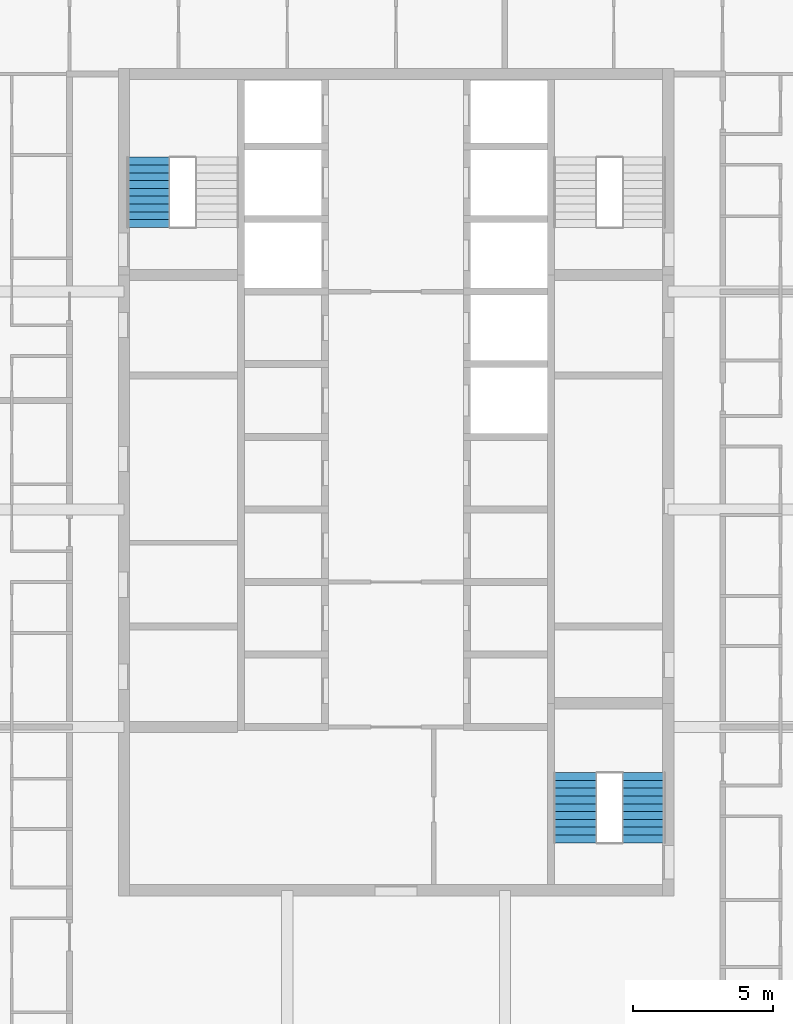
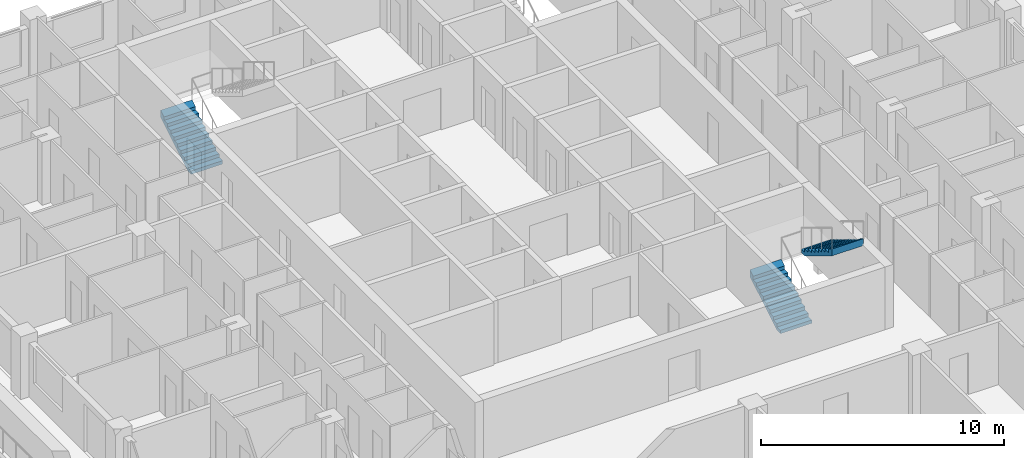
# One storey, part 13 of 16: 3 stair flights, 2 elements without a shape of their own.
"""IFC4 building model written with IfcOpenShell, lengths in metres."""

from ifc_helpers import new_model, si_unit, direction, frame, origin, place, context, subcontext, project, spatial, triangles, material, type_object, element, aggregate, save


model = new_model("IFC4")

# Units and contexts
model_context = context("Model", 3, precision=1e-05, world=origin(), true_north=direction((0.0, 1.0)))
body_context = subcontext(model_context, "Body", "Model", "MODEL_VIEW")
ifc_project = project(units=[si_unit("LENGTHUNIT", "METRE"), si_unit("AREAUNIT", "SQUARE_METRE"), si_unit("VOLUMEUNIT", "CUBIC_METRE"), si_unit("PLANEANGLEUNIT", "RADIAN"), si_unit("MASSUNIT", "GRAM", prefix="KILO")], contexts=[model_context])

# Site, building, storey
site_placement = place(None, origin())
site = spatial("IfcSite", under=ifc_project, at=site_placement, CompositionType="ELEMENT")
building_placement = place(site_placement, origin())
building = spatial("IfcBuilding", under=site, at=building_placement, Name="Ludao Terraces", CompositionType="ELEMENT")
storey_placement = place(building_placement, frame((0.0, 0.0, 224.5)))
storey = spatial("IfcBuildingStorey", under=building, at=storey_placement, Name="L61", CompositionType="ELEMENT", Elevation=224.5)

# Stair, stair flight
ifc_material = material(Name="Concrete C40", Category="concrete")
stair_type = type_object("IfcStairType", Name="INT Stair", PredefinedType="HALF_TURN_STAIR", material=ifc_material)
stair_1_placement = place(storey_placement, origin())
stair_1 = element("IfcStair", 1, at=stair_1_placement, inside=storey, type_object=stair_type, Name="EXIT STAIR 1", PredefinedType="HALF_TURN_STAIR")
stair_flight_type = type_object("IfcStairFlightType", Name="INT Stair flight", PredefinedType="STRAIGHT", material=ifc_material)
stair_flight_1_placement = place(storey_placement, frame((76.125, 79.0, 0.0), z_axis=(0.0, 0.0, 1.0), x_axis=(0.0, 1.0, 0.0)))
stair_flight_1 = element("IfcStairFlight", 2, at=stair_flight_1_placement, type_object=stair_flight_type, Name="ST1 flight 1", NumberOfRisers=10, NumberOfTreads=9, PredefinedType="STRAIGHT", RiserHeight=0.17, TreadLength=0.28, context=body_context, shape_type="Tessellation", body=[
    triangles([(0.0, -0.75, 0.0), (0.0, -0.5, 0.0), (0.0, -0.25, 0.0), (0.0, 0.0, 0.0), (0.0, 0.25, 0.0), (0.0, 0.5, 0.0), (0.0, 0.75, 0.0), (0.0, -0.75, 0.169921875), (0.0, -0.5, 0.169921875), (0.0, -0.25, 0.169921875), (0.0, 0.0, 0.169921875), (0.0, 0.25, 0.169921875), (0.0, 0.5, 0.169921875), (0.0, 0.75, 0.169921875), (0.280029296875, -0.75, 0.169921875), (0.280029296875, -0.5, 0.169921875), (0.280029296875, -0.25, 0.169921875), (0.280029296875, 0.0, 0.169921875), (0.280029296875, 0.25, 0.169921875), (0.280029296875, 0.5, 0.169921875), (0.280029296875, 0.75, 0.169921875), (0.280029296875, -0.75, 0.340087890625), (0.280029296875, -0.5, 0.340087890625), (0.280029296875, -0.25, 0.340087890625), (0.280029296875, 0.0, 0.340087890625), (0.280029296875, 0.25, 0.340087890625), (0.280029296875, 0.5, 0.340087890625), (0.280029296875, 0.75, 0.340087890625), (0.56005859375, -0.75, 0.340087890625), (0.56005859375, -0.5, 0.340087890625), (0.56005859375, -0.25, 0.340087890625), (0.56005859375, 0.0, 0.340087890625), (0.56005859375, 0.25, 0.340087890625), (0.56005859375, 0.5, 0.340087890625), (0.56005859375, 0.75, 0.340087890625), (0.56005859375, -0.75, 0.510009765625), (0.56005859375, -0.5, 0.510009765625), (0.56005859375, -0.25, 0.510009765625), (0.56005859375, 0.0, 0.510009765625), (0.56005859375, 0.25, 0.510009765625), (0.56005859375, 0.5, 0.510009765625), (0.56005859375, 0.75, 0.510009765625), (0.840087890625, -0.75, 0.510009765625), (0.840087890625, -0.5, 0.510009765625), (0.840087890625, -0.25, 0.510009765625), (0.840087890625, 0.0, 0.510009765625), (0.840087890625, 0.25, 0.510009765625), (0.840087890625, 0.5, 0.510009765625), (0.840087890625, 0.75, 0.510009765625), (0.840087890625, -0.75, 0.679931640625), (0.840087890625, -0.5, 0.679931640625), (0.840087890625, -0.25, 0.679931640625), (0.840087890625, 0.0, 0.679931640625), (0.840087890625, 0.25, 0.679931640625), (0.840087890625, 0.5, 0.679931640625), (0.840087890625, 0.75, 0.679931640625), (1.1201171875, -0.75, 0.679931640625), (1.1201171875, -0.5, 0.679931640625), (1.1201171875, -0.25, 0.679931640625), (1.1201171875, 0.0, 0.679931640625), (1.1201171875, 0.25, 0.679931640625), (1.1201171875, 0.5, 0.679931640625), (1.1201171875, 0.75, 0.679931640625), (1.1201171875, -0.75, 0.85009765625), (1.1201171875, -0.5, 0.85009765625), (1.1201171875, -0.25, 0.85009765625), (1.1201171875, 0.0, 0.85009765625), (1.1201171875, 0.25, 0.85009765625), (1.1201171875, 0.5, 0.85009765625), (1.1201171875, 0.75, 0.85009765625), (1.39990234375, -0.75, 0.85009765625), (1.39990234375, -0.5, 0.85009765625), (1.39990234375, -0.25, 0.85009765625), (1.39990234375, 0.0, 0.85009765625), (1.39990234375, 0.25, 0.85009765625), (1.39990234375, 0.5, 0.85009765625), (1.39990234375, 0.75, 0.85009765625), (1.39990234375, -0.75, 1.02001953125), (1.39990234375, -0.5, 1.02001953125), (1.39990234375, -0.25, 1.02001953125), (1.39990234375, 0.0, 1.02001953125), (1.39990234375, 0.25, 1.02001953125), (1.39990234375, 0.5, 1.02001953125), (1.39990234375, 0.75, 1.02001953125), (1.679931640625, -0.75, 1.02001953125), (1.679931640625, -0.5, 1.02001953125), (1.679931640625, -0.25, 1.02001953125), (1.679931640625, 0.0, 1.02001953125), (1.679931640625, 0.25, 1.02001953125), (1.679931640625, 0.5, 1.02001953125), (1.679931640625, 0.75, 1.02001953125), (1.679931640625, -0.75, 1.18994140625), (1.679931640625, -0.5, 1.18994140625), (1.679931640625, -0.25, 1.18994140625), (1.679931640625, 0.0, 1.18994140625), (1.679931640625, 0.25, 1.18994140625), (1.679931640625, 0.5, 1.18994140625), (1.679931640625, 0.75, 1.18994140625), (1.9599609375, -0.75, 1.18994140625), (1.9599609375, -0.5, 1.18994140625), (1.9599609375, -0.25, 1.18994140625), (1.9599609375, 0.0, 1.18994140625), (1.9599609375, 0.25, 1.18994140625), (1.9599609375, 0.5, 1.18994140625), (1.9599609375, 0.75, 1.18994140625), (1.9599609375, -0.75, 1.360107421875), (1.9599609375, -0.5, 1.360107421875), (1.9599609375, -0.25, 1.360107421875), (1.9599609375, 0.0, 1.360107421875), (1.9599609375, 0.25, 1.360107421875), (1.9599609375, 0.5, 1.360107421875), (1.9599609375, 0.75, 1.360107421875), (2.239990234375, -0.75, 1.360107421875), (2.239990234375, -0.5, 1.360107421875), (2.239990234375, -0.25, 1.360107421875), (2.239990234375, 0.0, 1.360107421875), (2.239990234375, 0.25, 1.360107421875), (2.239990234375, 0.5, 1.360107421875), (2.239990234375, 0.75, 1.360107421875), (2.239990234375, -0.75, 1.530029296875), (2.239990234375, -0.5, 1.530029296875), (2.239990234375, -0.25, 1.530029296875), (2.239990234375, 0.0, 1.530029296875), (2.239990234375, 0.25, 1.530029296875), (2.239990234375, 0.5, 1.530029296875), (2.239990234375, 0.75, 1.530029296875), (2.52001953125, -0.75, 1.699951171875), (2.52001953125, -0.5, 1.699951171875), (2.52001953125, -0.25, 1.699951171875), (2.52001953125, 0.0, 1.699951171875), (2.52001953125, 0.25, 1.699951171875), (2.52001953125, 0.5, 1.699951171875), (2.52001953125, 0.75, 1.699951171875), (2.52001953125, -0.75, 1.354736328125), (2.52001953125, -0.5, 1.354736328125), (2.52001953125, -0.25, 1.354736328125), (2.52001953125, 0.0, 1.354736328125), (2.52001953125, 0.25, 1.354736328125), (2.52001953125, 0.5, 1.354736328125), (2.52001953125, 0.75, 1.354736328125), (0.288818359375, -0.75, 0.0), (0.288818359375, -0.5, 0.0), (0.288818359375, -0.25, 0.0), (0.288818359375, 0.0, 0.0), (0.288818359375, 0.25, 0.0), (0.288818359375, 0.5, 0.0), (0.288818359375, 0.75, 0.0)], [[1, 141, 134], [7, 140, 147], [134, 127, 120], [140, 126, 133], [134, 120, 113], [140, 119, 126], [134, 113, 106], [140, 112, 119], [134, 106, 99], [140, 105, 112], [99, 92, 85], [105, 91, 98], [134, 99, 85], [140, 91, 105], [85, 78, 71], [91, 77, 84], [134, 85, 71], [140, 77, 91], [71, 64, 57], [77, 63, 70], [134, 71, 57], [140, 63, 77], [57, 50, 43], [63, 49, 56], [134, 57, 43], [140, 49, 63], [43, 36, 29], [49, 35, 42], [134, 43, 29], [140, 35, 49], [29, 22, 15], [35, 21, 28], [134, 29, 15], [140, 21, 35], [1, 134, 15], [7, 21, 140], [15, 8, 1], [21, 7, 14], [1, 9, 2], [1, 8, 9], [2, 10, 3], [2, 9, 10], [3, 11, 4], [3, 10, 11], [4, 12, 5], [4, 11, 12], [5, 13, 6], [5, 12, 13], [6, 14, 7], [6, 13, 14], [8, 16, 9], [8, 15, 16], [9, 17, 10], [9, 16, 17], [10, 18, 11], [10, 17, 18], [11, 19, 12], [11, 18, 19], [12, 20, 13], [12, 19, 20], [13, 21, 14], [13, 20, 21], [15, 23, 16], [15, 22, 23], [16, 24, 17], [16, 23, 24], [17, 25, 18], [17, 24, 25], [18, 26, 19], [18, 25, 26], [19, 27, 20], [19, 26, 27], [20, 28, 21], [20, 27, 28], [22, 30, 23], [22, 29, 30], [23, 31, 24], [23, 30, 31], [24, 32, 25], [24, 31, 32], [25, 33, 26], [25, 32, 33], [26, 34, 27], [26, 33, 34], [27, 35, 28], [27, 34, 35], [29, 37, 30], [29, 36, 37], [30, 38, 31], [30, 37, 38], [31, 39, 32], [31, 38, 39], [32, 40, 33], [32, 39, 40], [33, 41, 34], [33, 40, 41], [34, 42, 35], [34, 41, 42], [36, 44, 37], [36, 43, 44], [37, 45, 38], [37, 44, 45], [38, 46, 39], [38, 45, 46], [39, 47, 40], [39, 46, 47], [40, 48, 41], [40, 47, 48], [41, 49, 42], [41, 48, 49], [43, 51, 44], [43, 50, 51], [44, 52, 45], [44, 51, 52], [45, 53, 46], [45, 52, 53], [46, 54, 47], [46, 53, 54], [47, 55, 48], [47, 54, 55], [48, 56, 49], [48, 55, 56], [50, 58, 51], [50, 57, 58], [51, 59, 52], [51, 58, 59], [52, 60, 53], [52, 59, 60], [53, 61, 54], [53, 60, 61], [54, 62, 55], [54, 61, 62], [55, 63, 56], [55, 62, 63], [57, 65, 58], [57, 64, 65], [58, 66, 59], [58, 65, 66], [59, 67, 60], [59, 66, 67], [60, 68, 61], [60, 67, 68], [61, 69, 62], [61, 68, 69], [62, 70, 63], [62, 69, 70], [64, 72, 65], [64, 71, 72], [65, 73, 66], [65, 72, 73], [66, 74, 67], [66, 73, 74], [67, 75, 68], [67, 74, 75], [68, 76, 69], [68, 75, 76], [69, 77, 70], [69, 76, 77], [71, 79, 72], [71, 78, 79], [72, 80, 73], [72, 79, 80], [73, 81, 74], [73, 80, 81], [74, 82, 75], [74, 81, 82], [75, 83, 76], [75, 82, 83], [76, 84, 77], [76, 83, 84], [78, 86, 79], [78, 85, 86], [79, 87, 80], [79, 86, 87], [80, 88, 81], [80, 87, 88], [81, 89, 82], [81, 88, 89], [82, 90, 83], [82, 89, 90], [83, 91, 84], [83, 90, 91], [85, 93, 86], [85, 92, 93], [86, 94, 87], [86, 93, 94], [87, 95, 88], [87, 94, 95], [88, 96, 89], [88, 95, 96], [89, 97, 90], [89, 96, 97], [90, 98, 91], [90, 97, 98], [92, 100, 93], [92, 99, 100], [93, 101, 94], [93, 100, 101], [94, 102, 95], [94, 101, 102], [95, 103, 96], [95, 102, 103], [96, 104, 97], [96, 103, 104], [97, 105, 98], [97, 104, 105], [99, 107, 100], [99, 106, 107], [100, 108, 101], [100, 107, 108], [101, 109, 102], [101, 108, 109], [102, 110, 103], [102, 109, 110], [103, 111, 104], [103, 110, 111], [104, 112, 105], [104, 111, 112], [106, 114, 107], [106, 113, 114], [107, 115, 108], [107, 114, 115], [108, 116, 109], [108, 115, 116], [109, 117, 110], [109, 116, 117], [110, 118, 111], [110, 117, 118], [111, 119, 112], [111, 118, 119], [113, 121, 114], [113, 120, 121], [114, 122, 115], [114, 121, 122], [115, 123, 116], [115, 122, 123], [116, 124, 117], [116, 123, 124], [117, 125, 118], [117, 124, 125], [118, 126, 119], [118, 125, 126], [120, 128, 121], [120, 127, 128], [121, 129, 122], [121, 128, 129], [122, 130, 123], [122, 129, 130], [123, 131, 124], [123, 130, 131], [124, 132, 125], [124, 131, 132], [125, 133, 126], [125, 132, 133], [127, 135, 128], [127, 134, 135], [128, 136, 129], [128, 135, 136], [129, 137, 130], [129, 136, 137], [130, 138, 131], [130, 137, 138], [131, 139, 132], [131, 138, 139], [132, 140, 133], [132, 139, 140], [134, 142, 135], [134, 141, 142], [135, 143, 136], [135, 142, 143], [136, 144, 137], [136, 143, 144], [137, 145, 138], [137, 144, 145], [138, 146, 139], [138, 145, 146], [139, 147, 140], [139, 146, 147], [141, 2, 142], [141, 1, 2], [142, 3, 143], [142, 2, 3], [143, 4, 144], [143, 3, 4], [144, 5, 145], [144, 4, 5], [145, 6, 146], [145, 5, 6], [146, 7, 147], [146, 6, 7]], closed=True),
])
aggregate(stair_1, [stair_flight_1])

# Stair, stair flights
stair_2_placement = place(storey_placement, origin())
stair_2 = element("IfcStair", 3, at=stair_2_placement, inside=storey, type_object=stair_type, Name="EXIT STAIR 3", PredefinedType="HALF_TURN_STAIR")
stair_flight_2_placement = place(storey_placement, frame((91.425048828125, 56.949951171875, 0.0), z_axis=(0.0, 0.0, 1.0), x_axis=(0.0, 1.0, 0.0)))
stair_flight_2 = element("IfcStairFlight", 4, at=stair_flight_2_placement, type_object=stair_flight_type, Name="ST3 flight 1", NumberOfRisers=10, NumberOfTreads=9, PredefinedType="STRAIGHT", RiserHeight=0.17, TreadLength=0.28, context=body_context, shape_type="Tessellation", body=[
    triangles([(0.0, -0.75, 0.0), (0.0, -0.5, 0.0), (0.0, -0.25, 0.0), (0.0, 0.0, 0.0), (0.0, 0.25, 0.0), (0.0, 0.5, 0.0), (0.0, 0.75, 0.0), (0.0, -0.75, 0.169921875), (0.0, -0.5, 0.169921875), (0.0, -0.25, 0.169921875), (0.0, 0.0, 0.169921875), (0.0, 0.25, 0.169921875), (0.0, 0.5, 0.169921875), (0.0, 0.75, 0.169921875), (0.280029296875, -0.75, 0.169921875), (0.280029296875, -0.5, 0.169921875), (0.280029296875, -0.25, 0.169921875), (0.280029296875, 0.0, 0.169921875), (0.280029296875, 0.25, 0.169921875), (0.280029296875, 0.5, 0.169921875), (0.280029296875, 0.75, 0.169921875), (0.280029296875, -0.75, 0.340087890625), (0.280029296875, -0.5, 0.340087890625), (0.280029296875, -0.25, 0.340087890625), (0.280029296875, 0.0, 0.340087890625), (0.280029296875, 0.25, 0.340087890625), (0.280029296875, 0.5, 0.340087890625), (0.280029296875, 0.75, 0.340087890625), (0.56005859375, -0.75, 0.340087890625), (0.56005859375, -0.5, 0.340087890625), (0.56005859375, -0.25, 0.340087890625), (0.56005859375, 0.0, 0.340087890625), (0.56005859375, 0.25, 0.340087890625), (0.56005859375, 0.5, 0.340087890625), (0.56005859375, 0.75, 0.340087890625), (0.56005859375, -0.75, 0.510009765625), (0.56005859375, -0.5, 0.510009765625), (0.56005859375, -0.25, 0.510009765625), (0.56005859375, 0.0, 0.510009765625), (0.56005859375, 0.25, 0.510009765625), (0.56005859375, 0.5, 0.510009765625), (0.56005859375, 0.75, 0.510009765625), (0.840087890625, -0.75, 0.510009765625), (0.840087890625, -0.5, 0.510009765625), (0.840087890625, -0.25, 0.510009765625), (0.840087890625, 0.0, 0.510009765625), (0.840087890625, 0.25, 0.510009765625), (0.840087890625, 0.5, 0.510009765625), (0.840087890625, 0.75, 0.510009765625), (0.840087890625, -0.75, 0.679931640625), (0.840087890625, -0.5, 0.679931640625), (0.840087890625, -0.25, 0.679931640625), (0.840087890625, 0.0, 0.679931640625), (0.840087890625, 0.25, 0.679931640625), (0.840087890625, 0.5, 0.679931640625), (0.840087890625, 0.75, 0.679931640625), (1.1201171875, -0.75, 0.679931640625), (1.1201171875, -0.5, 0.679931640625), (1.1201171875, -0.25, 0.679931640625), (1.1201171875, 0.0, 0.679931640625), (1.1201171875, 0.25, 0.679931640625), (1.1201171875, 0.5, 0.679931640625), (1.1201171875, 0.75, 0.679931640625), (1.1201171875, -0.75, 0.85009765625), (1.1201171875, -0.5, 0.85009765625), (1.1201171875, -0.25, 0.85009765625), (1.1201171875, 0.0, 0.85009765625), (1.1201171875, 0.25, 0.85009765625), (1.1201171875, 0.5, 0.85009765625), (1.1201171875, 0.75, 0.85009765625), (1.39990234375, -0.75, 0.85009765625), (1.39990234375, -0.5, 0.85009765625), (1.39990234375, -0.25, 0.85009765625), (1.39990234375, 0.0, 0.85009765625), (1.39990234375, 0.25, 0.85009765625), (1.39990234375, 0.5, 0.85009765625), (1.39990234375, 0.75, 0.85009765625), (1.39990234375, -0.75, 1.02001953125), (1.39990234375, -0.5, 1.02001953125), (1.39990234375, -0.25, 1.02001953125), (1.39990234375, 0.0, 1.02001953125), (1.39990234375, 0.25, 1.02001953125), (1.39990234375, 0.5, 1.02001953125), (1.39990234375, 0.75, 1.02001953125), (1.679931640625, -0.75, 1.02001953125), (1.679931640625, -0.5, 1.02001953125), (1.679931640625, -0.25, 1.02001953125), (1.679931640625, 0.0, 1.02001953125), (1.679931640625, 0.25, 1.02001953125), (1.679931640625, 0.5, 1.02001953125), (1.679931640625, 0.75, 1.02001953125), (1.679931640625, -0.75, 1.18994140625), (1.679931640625, -0.5, 1.18994140625), (1.679931640625, -0.25, 1.18994140625), (1.679931640625, 0.0, 1.18994140625), (1.679931640625, 0.25, 1.18994140625), (1.679931640625, 0.5, 1.18994140625), (1.679931640625, 0.75, 1.18994140625), (1.9599609375, -0.75, 1.18994140625), (1.9599609375, -0.5, 1.18994140625), (1.9599609375, -0.25, 1.18994140625), (1.9599609375, 0.0, 1.18994140625), (1.9599609375, 0.25, 1.18994140625), (1.9599609375, 0.5, 1.18994140625), (1.9599609375, 0.75, 1.18994140625), (1.9599609375, -0.75, 1.360107421875), (1.9599609375, -0.5, 1.360107421875), (1.9599609375, -0.25, 1.360107421875), (1.9599609375, 0.0, 1.360107421875), (1.9599609375, 0.25, 1.360107421875), (1.9599609375, 0.5, 1.360107421875), (1.9599609375, 0.75, 1.360107421875), (2.239990234375, -0.75, 1.360107421875), (2.239990234375, -0.5, 1.360107421875), (2.239990234375, -0.25, 1.360107421875), (2.239990234375, 0.0, 1.360107421875), (2.239990234375, 0.25, 1.360107421875), (2.239990234375, 0.5, 1.360107421875), (2.239990234375, 0.75, 1.360107421875), (2.239990234375, -0.75, 1.530029296875), (2.239990234375, -0.5, 1.530029296875), (2.239990234375, -0.25, 1.530029296875), (2.239990234375, 0.0, 1.530029296875), (2.239990234375, 0.25, 1.530029296875), (2.239990234375, 0.5, 1.530029296875), (2.239990234375, 0.75, 1.530029296875), (2.52001953125, -0.75, 1.699951171875), (2.52001953125, -0.5, 1.699951171875), (2.52001953125, -0.25, 1.699951171875), (2.52001953125, 0.0, 1.699951171875), (2.52001953125, 0.25, 1.699951171875), (2.52001953125, 0.5, 1.699951171875), (2.52001953125, 0.75, 1.699951171875), (2.52001953125, -0.75, 1.354736328125), (2.52001953125, -0.5, 1.354736328125), (2.52001953125, -0.25, 1.354736328125), (2.52001953125, 0.0, 1.354736328125), (2.52001953125, 0.25, 1.354736328125), (2.52001953125, 0.5, 1.354736328125), (2.52001953125, 0.75, 1.354736328125), (0.288818359375, -0.75, 0.0), (0.288818359375, -0.5, 0.0), (0.288818359375, -0.25, 0.0), (0.288818359375, 0.0, 0.0), (0.288818359375, 0.25, 0.0), (0.288818359375, 0.5, 0.0), (0.288818359375, 0.75, 0.0)], [[1, 141, 134], [7, 140, 147], [134, 127, 120], [140, 126, 133], [134, 120, 113], [140, 119, 126], [134, 113, 106], [140, 112, 119], [134, 106, 99], [140, 105, 112], [99, 92, 85], [105, 91, 98], [134, 99, 85], [140, 91, 105], [85, 78, 71], [91, 77, 84], [134, 85, 71], [140, 77, 91], [71, 64, 57], [77, 63, 70], [134, 71, 57], [140, 63, 77], [57, 50, 43], [63, 49, 56], [134, 57, 43], [140, 49, 63], [43, 36, 29], [49, 35, 42], [134, 43, 29], [140, 35, 49], [29, 22, 15], [35, 21, 28], [134, 29, 15], [140, 21, 35], [1, 134, 15], [7, 21, 140], [15, 8, 1], [21, 7, 14], [1, 9, 2], [1, 8, 9], [2, 10, 3], [2, 9, 10], [3, 11, 4], [3, 10, 11], [4, 12, 5], [4, 11, 12], [5, 13, 6], [5, 12, 13], [6, 14, 7], [6, 13, 14], [8, 16, 9], [8, 15, 16], [9, 17, 10], [9, 16, 17], [10, 18, 11], [10, 17, 18], [11, 19, 12], [11, 18, 19], [12, 20, 13], [12, 19, 20], [13, 21, 14], [13, 20, 21], [15, 23, 16], [15, 22, 23], [16, 24, 17], [16, 23, 24], [17, 25, 18], [17, 24, 25], [18, 26, 19], [18, 25, 26], [19, 27, 20], [19, 26, 27], [20, 28, 21], [20, 27, 28], [22, 30, 23], [22, 29, 30], [23, 31, 24], [23, 30, 31], [24, 32, 25], [24, 31, 32], [25, 33, 26], [25, 32, 33], [26, 34, 27], [26, 33, 34], [27, 35, 28], [27, 34, 35], [29, 37, 30], [29, 36, 37], [30, 38, 31], [30, 37, 38], [31, 39, 32], [31, 38, 39], [32, 40, 33], [32, 39, 40], [33, 41, 34], [33, 40, 41], [34, 42, 35], [34, 41, 42], [36, 44, 37], [36, 43, 44], [37, 45, 38], [37, 44, 45], [38, 46, 39], [38, 45, 46], [39, 47, 40], [39, 46, 47], [40, 48, 41], [40, 47, 48], [41, 49, 42], [41, 48, 49], [43, 51, 44], [43, 50, 51], [44, 52, 45], [44, 51, 52], [45, 53, 46], [45, 52, 53], [46, 54, 47], [46, 53, 54], [47, 55, 48], [47, 54, 55], [48, 56, 49], [48, 55, 56], [50, 58, 51], [50, 57, 58], [51, 59, 52], [51, 58, 59], [52, 60, 53], [52, 59, 60], [53, 61, 54], [53, 60, 61], [54, 62, 55], [54, 61, 62], [55, 63, 56], [55, 62, 63], [57, 65, 58], [57, 64, 65], [58, 66, 59], [58, 65, 66], [59, 67, 60], [59, 66, 67], [60, 68, 61], [60, 67, 68], [61, 69, 62], [61, 68, 69], [62, 70, 63], [62, 69, 70], [64, 72, 65], [64, 71, 72], [65, 73, 66], [65, 72, 73], [66, 74, 67], [66, 73, 74], [67, 75, 68], [67, 74, 75], [68, 76, 69], [68, 75, 76], [69, 77, 70], [69, 76, 77], [71, 79, 72], [71, 78, 79], [72, 80, 73], [72, 79, 80], [73, 81, 74], [73, 80, 81], [74, 82, 75], [74, 81, 82], [75, 83, 76], [75, 82, 83], [76, 84, 77], [76, 83, 84], [78, 86, 79], [78, 85, 86], [79, 87, 80], [79, 86, 87], [80, 88, 81], [80, 87, 88], [81, 89, 82], [81, 88, 89], [82, 90, 83], [82, 89, 90], [83, 91, 84], [83, 90, 91], [85, 93, 86], [85, 92, 93], [86, 94, 87], [86, 93, 94], [87, 95, 88], [87, 94, 95], [88, 96, 89], [88, 95, 96], [89, 97, 90], [89, 96, 97], [90, 98, 91], [90, 97, 98], [92, 100, 93], [92, 99, 100], [93, 101, 94], [93, 100, 101], [94, 102, 95], [94, 101, 102], [95, 103, 96], [95, 102, 103], [96, 104, 97], [96, 103, 104], [97, 105, 98], [97, 104, 105], [99, 107, 100], [99, 106, 107], [100, 108, 101], [100, 107, 108], [101, 109, 102], [101, 108, 109], [102, 110, 103], [102, 109, 110], [103, 111, 104], [103, 110, 111], [104, 112, 105], [104, 111, 112], [106, 114, 107], [106, 113, 114], [107, 115, 108], [107, 114, 115], [108, 116, 109], [108, 115, 116], [109, 117, 110], [109, 116, 117], [110, 118, 111], [110, 117, 118], [111, 119, 112], [111, 118, 119], [113, 121, 114], [113, 120, 121], [114, 122, 115], [114, 121, 122], [115, 123, 116], [115, 122, 123], [116, 124, 117], [116, 123, 124], [117, 125, 118], [117, 124, 125], [118, 126, 119], [118, 125, 126], [120, 128, 121], [120, 127, 128], [121, 129, 122], [121, 128, 129], [122, 130, 123], [122, 129, 130], [123, 131, 124], [123, 130, 131], [124, 132, 125], [124, 131, 132], [125, 133, 126], [125, 132, 133], [127, 135, 128], [127, 134, 135], [128, 136, 129], [128, 135, 136], [129, 137, 130], [129, 136, 137], [130, 138, 131], [130, 137, 138], [131, 139, 132], [131, 138, 139], [132, 140, 133], [132, 139, 140], [134, 142, 135], [134, 141, 142], [135, 143, 136], [135, 142, 143], [136, 144, 137], [136, 143, 144], [137, 145, 138], [137, 144, 145], [138, 146, 139], [138, 145, 146], [139, 147, 140], [139, 146, 147], [141, 2, 142], [141, 1, 2], [142, 3, 143], [142, 2, 3], [143, 4, 144], [143, 3, 4], [144, 5, 145], [144, 4, 5], [145, 6, 146], [145, 5, 6], [146, 7, 147], [146, 6, 7]], closed=True),
])
stair_flight_3_placement = place(storey_placement, frame((93.875, 59.469970703125, 1.699951171875), z_axis=(0.0, 0.0, 1.0), x_axis=(0.0, -1.0, 0.0)))
stair_flight_3 = element("IfcStairFlight", 5, at=stair_flight_3_placement, type_object=stair_flight_type, Name="ST3 flight 2", NumberOfRisers=10, NumberOfTreads=9, PredefinedType="STRAIGHT", RiserHeight=0.17, TreadLength=0.28, context=body_context, shape_type="Tessellation", body=[
    triangles([(0.0, -0.75, 0.0), (0.0, -0.5, 0.0), (0.0, -0.25, 0.0), (0.0, 0.0, 0.0), (0.0, 0.25, 0.0), (0.0, 0.5, 0.0), (0.0, 0.75, 0.0), (0.0, -0.75, 0.169921875), (0.0, -0.5, 0.169921875), (0.0, -0.25, 0.169921875), (0.0, 0.0, 0.169921875), (0.0, 0.25, 0.169921875), (0.0, 0.5, 0.169921875), (0.0, 0.75, 0.169921875), (0.280029296875, -0.75, 0.169921875), (0.280029296875, -0.5, 0.169921875), (0.280029296875, -0.25, 0.169921875), (0.280029296875, 0.0, 0.169921875), (0.280029296875, 0.25, 0.169921875), (0.280029296875, 0.5, 0.169921875), (0.280029296875, 0.75, 0.169921875), (0.280029296875, -0.75, 0.340087890625), (0.280029296875, -0.5, 0.340087890625), (0.280029296875, -0.25, 0.340087890625), (0.280029296875, 0.0, 0.340087890625), (0.280029296875, 0.25, 0.340087890625), (0.280029296875, 0.5, 0.340087890625), (0.280029296875, 0.75, 0.340087890625), (0.56005859375, -0.75, 0.340087890625), (0.56005859375, -0.5, 0.340087890625), (0.56005859375, -0.25, 0.340087890625), (0.56005859375, 0.0, 0.340087890625), (0.56005859375, 0.25, 0.340087890625), (0.56005859375, 0.5, 0.340087890625), (0.56005859375, 0.75, 0.340087890625), (0.56005859375, -0.75, 0.510009765625), (0.56005859375, -0.5, 0.510009765625), (0.56005859375, -0.25, 0.510009765625), (0.56005859375, 0.0, 0.510009765625), (0.56005859375, 0.25, 0.510009765625), (0.56005859375, 0.5, 0.510009765625), (0.56005859375, 0.75, 0.510009765625), (0.840087890625, -0.75, 0.510009765625), (0.840087890625, -0.5, 0.510009765625), (0.840087890625, -0.25, 0.510009765625), (0.840087890625, 0.0, 0.510009765625), (0.840087890625, 0.25, 0.510009765625), (0.840087890625, 0.5, 0.510009765625), (0.840087890625, 0.75, 0.510009765625), (0.840087890625, -0.75, 0.679931640625), (0.840087890625, -0.5, 0.679931640625), (0.840087890625, -0.25, 0.679931640625), (0.840087890625, 0.0, 0.679931640625), (0.840087890625, 0.25, 0.679931640625), (0.840087890625, 0.5, 0.679931640625), (0.840087890625, 0.75, 0.679931640625), (1.1201171875, -0.75, 0.679931640625), (1.1201171875, -0.5, 0.679931640625), (1.1201171875, -0.25, 0.679931640625), (1.1201171875, 0.0, 0.679931640625), (1.1201171875, 0.25, 0.679931640625), (1.1201171875, 0.5, 0.679931640625), (1.1201171875, 0.75, 0.679931640625), (1.1201171875, -0.75, 0.85009765625), (1.1201171875, -0.5, 0.85009765625), (1.1201171875, -0.25, 0.85009765625), (1.1201171875, 0.0, 0.85009765625), (1.1201171875, 0.25, 0.85009765625), (1.1201171875, 0.5, 0.85009765625), (1.1201171875, 0.75, 0.85009765625), (1.39990234375, -0.75, 0.85009765625), (1.39990234375, -0.5, 0.85009765625), (1.39990234375, -0.25, 0.85009765625), (1.39990234375, 0.0, 0.85009765625), (1.39990234375, 0.25, 0.85009765625), (1.39990234375, 0.5, 0.85009765625), (1.39990234375, 0.75, 0.85009765625), (1.39990234375, -0.75, 1.02001953125), (1.39990234375, -0.5, 1.02001953125), (1.39990234375, -0.25, 1.02001953125), (1.39990234375, 0.0, 1.02001953125), (1.39990234375, 0.25, 1.02001953125), (1.39990234375, 0.5, 1.02001953125), (1.39990234375, 0.75, 1.02001953125), (1.679931640625, -0.75, 1.02001953125), (1.679931640625, -0.5, 1.02001953125), (1.679931640625, -0.25, 1.02001953125), (1.679931640625, 0.0, 1.02001953125), (1.679931640625, 0.25, 1.02001953125), (1.679931640625, 0.5, 1.02001953125), (1.679931640625, 0.75, 1.02001953125), (1.679931640625, -0.75, 1.18994140625), (1.679931640625, -0.5, 1.18994140625), (1.679931640625, -0.25, 1.18994140625), (1.679931640625, 0.0, 1.18994140625), (1.679931640625, 0.25, 1.18994140625), (1.679931640625, 0.5, 1.18994140625), (1.679931640625, 0.75, 1.18994140625), (1.9599609375, -0.75, 1.18994140625), (1.9599609375, -0.5, 1.18994140625), (1.9599609375, -0.25, 1.18994140625), (1.9599609375, 0.0, 1.18994140625), (1.9599609375, 0.25, 1.18994140625), (1.9599609375, 0.5, 1.18994140625), (1.9599609375, 0.75, 1.18994140625), (1.9599609375, -0.75, 1.360107421875), (1.9599609375, -0.5, 1.360107421875), (1.9599609375, -0.25, 1.360107421875), (1.9599609375, 0.0, 1.360107421875), (1.9599609375, 0.25, 1.360107421875), (1.9599609375, 0.5, 1.360107421875), (1.9599609375, 0.75, 1.360107421875), (2.239990234375, -0.75, 1.360107421875), (2.239990234375, -0.5, 1.360107421875), (2.239990234375, -0.25, 1.360107421875), (2.239990234375, 0.0, 1.360107421875), (2.239990234375, 0.25, 1.360107421875), (2.239990234375, 0.5, 1.360107421875), (2.239990234375, 0.75, 1.360107421875), (2.239990234375, -0.75, 1.530029296875), (2.239990234375, -0.5, 1.530029296875), (2.239990234375, -0.25, 1.530029296875), (2.239990234375, 0.0, 1.530029296875), (2.239990234375, 0.25, 1.530029296875), (2.239990234375, 0.5, 1.530029296875), (2.239990234375, 0.75, 1.530029296875), (2.52001953125, -0.75, 1.699951171875), (2.52001953125, -0.5, 1.699951171875), (2.52001953125, -0.25, 1.699951171875), (2.52001953125, 0.0, 1.699951171875), (2.52001953125, 0.25, 1.699951171875), (2.52001953125, 0.5, 1.699951171875), (2.52001953125, 0.75, 1.699951171875), (2.52001953125, -0.75, 1.354736328125), (2.52001953125, -0.5, 1.354736328125), (2.52001953125, -0.25, 1.354736328125), (2.52001953125, 0.0, 1.354736328125), (2.52001953125, 0.25, 1.354736328125), (2.52001953125, 0.5, 1.354736328125), (2.52001953125, 0.75, 1.354736328125), (0.288818359375, -0.75, 0.0), (0.288818359375, -0.5, 0.0), (0.288818359375, -0.25, 0.0), (0.288818359375, 0.0, 0.0), (0.288818359375, 0.25, 0.0), (0.288818359375, 0.5, 0.0), (0.288818359375, 0.75, 0.0)], [[1, 141, 134], [7, 140, 147], [134, 127, 120], [140, 126, 133], [134, 120, 113], [140, 119, 126], [134, 113, 106], [140, 112, 119], [134, 106, 99], [140, 105, 112], [99, 92, 85], [105, 91, 98], [134, 99, 85], [140, 91, 105], [85, 78, 71], [91, 77, 84], [134, 85, 71], [140, 77, 91], [71, 64, 57], [77, 63, 70], [134, 71, 57], [140, 63, 77], [57, 50, 43], [63, 49, 56], [134, 57, 43], [140, 49, 63], [43, 36, 29], [49, 35, 42], [134, 43, 29], [140, 35, 49], [29, 22, 15], [35, 21, 28], [134, 29, 15], [140, 21, 35], [1, 134, 15], [7, 21, 140], [15, 8, 1], [21, 7, 14], [1, 9, 2], [1, 8, 9], [2, 10, 3], [2, 9, 10], [3, 11, 4], [3, 10, 11], [4, 12, 5], [4, 11, 12], [5, 13, 6], [5, 12, 13], [6, 14, 7], [6, 13, 14], [8, 16, 9], [8, 15, 16], [9, 17, 10], [9, 16, 17], [10, 18, 11], [10, 17, 18], [11, 19, 12], [11, 18, 19], [12, 20, 13], [12, 19, 20], [13, 21, 14], [13, 20, 21], [15, 23, 16], [15, 22, 23], [16, 24, 17], [16, 23, 24], [17, 25, 18], [17, 24, 25], [18, 26, 19], [18, 25, 26], [19, 27, 20], [19, 26, 27], [20, 28, 21], [20, 27, 28], [22, 30, 23], [22, 29, 30], [23, 31, 24], [23, 30, 31], [24, 32, 25], [24, 31, 32], [25, 33, 26], [25, 32, 33], [26, 34, 27], [26, 33, 34], [27, 35, 28], [27, 34, 35], [29, 37, 30], [29, 36, 37], [30, 38, 31], [30, 37, 38], [31, 39, 32], [31, 38, 39], [32, 40, 33], [32, 39, 40], [33, 41, 34], [33, 40, 41], [34, 42, 35], [34, 41, 42], [36, 44, 37], [36, 43, 44], [37, 45, 38], [37, 44, 45], [38, 46, 39], [38, 45, 46], [39, 47, 40], [39, 46, 47], [40, 48, 41], [40, 47, 48], [41, 49, 42], [41, 48, 49], [43, 51, 44], [43, 50, 51], [44, 52, 45], [44, 51, 52], [45, 53, 46], [45, 52, 53], [46, 54, 47], [46, 53, 54], [47, 55, 48], [47, 54, 55], [48, 56, 49], [48, 55, 56], [50, 58, 51], [50, 57, 58], [51, 59, 52], [51, 58, 59], [52, 60, 53], [52, 59, 60], [53, 61, 54], [53, 60, 61], [54, 62, 55], [54, 61, 62], [55, 63, 56], [55, 62, 63], [57, 65, 58], [57, 64, 65], [58, 66, 59], [58, 65, 66], [59, 67, 60], [59, 66, 67], [60, 68, 61], [60, 67, 68], [61, 69, 62], [61, 68, 69], [62, 70, 63], [62, 69, 70], [64, 72, 65], [64, 71, 72], [65, 73, 66], [65, 72, 73], [66, 74, 67], [66, 73, 74], [67, 75, 68], [67, 74, 75], [68, 76, 69], [68, 75, 76], [69, 77, 70], [69, 76, 77], [71, 79, 72], [71, 78, 79], [72, 80, 73], [72, 79, 80], [73, 81, 74], [73, 80, 81], [74, 82, 75], [74, 81, 82], [75, 83, 76], [75, 82, 83], [76, 84, 77], [76, 83, 84], [78, 86, 79], [78, 85, 86], [79, 87, 80], [79, 86, 87], [80, 88, 81], [80, 87, 88], [81, 89, 82], [81, 88, 89], [82, 90, 83], [82, 89, 90], [83, 91, 84], [83, 90, 91], [85, 93, 86], [85, 92, 93], [86, 94, 87], [86, 93, 94], [87, 95, 88], [87, 94, 95], [88, 96, 89], [88, 95, 96], [89, 97, 90], [89, 96, 97], [90, 98, 91], [90, 97, 98], [92, 100, 93], [92, 99, 100], [93, 101, 94], [93, 100, 101], [94, 102, 95], [94, 101, 102], [95, 103, 96], [95, 102, 103], [96, 104, 97], [96, 103, 104], [97, 105, 98], [97, 104, 105], [99, 107, 100], [99, 106, 107], [100, 108, 101], [100, 107, 108], [101, 109, 102], [101, 108, 109], [102, 110, 103], [102, 109, 110], [103, 111, 104], [103, 110, 111], [104, 112, 105], [104, 111, 112], [106, 114, 107], [106, 113, 114], [107, 115, 108], [107, 114, 115], [108, 116, 109], [108, 115, 116], [109, 117, 110], [109, 116, 117], [110, 118, 111], [110, 117, 118], [111, 119, 112], [111, 118, 119], [113, 121, 114], [113, 120, 121], [114, 122, 115], [114, 121, 122], [115, 123, 116], [115, 122, 123], [116, 124, 117], [116, 123, 124], [117, 125, 118], [117, 124, 125], [118, 126, 119], [118, 125, 126], [120, 128, 121], [120, 127, 128], [121, 129, 122], [121, 128, 129], [122, 130, 123], [122, 129, 130], [123, 131, 124], [123, 130, 131], [124, 132, 125], [124, 131, 132], [125, 133, 126], [125, 132, 133], [127, 135, 128], [127, 134, 135], [128, 136, 129], [128, 135, 136], [129, 137, 130], [129, 136, 137], [130, 138, 131], [130, 137, 138], [131, 139, 132], [131, 138, 139], [132, 140, 133], [132, 139, 140], [134, 142, 135], [134, 141, 142], [135, 143, 136], [135, 142, 143], [136, 144, 137], [136, 143, 144], [137, 145, 138], [137, 144, 145], [138, 146, 139], [138, 145, 146], [139, 147, 140], [139, 146, 147], [141, 2, 142], [141, 1, 2], [142, 3, 143], [142, 2, 3], [143, 4, 144], [143, 3, 4], [144, 5, 145], [144, 4, 5], [145, 6, 146], [145, 5, 6], [146, 7, 147], [146, 6, 7]], closed=True),
])
aggregate(stair_2, [stair_flight_2, stair_flight_3])

save(model, "model.ifc")
